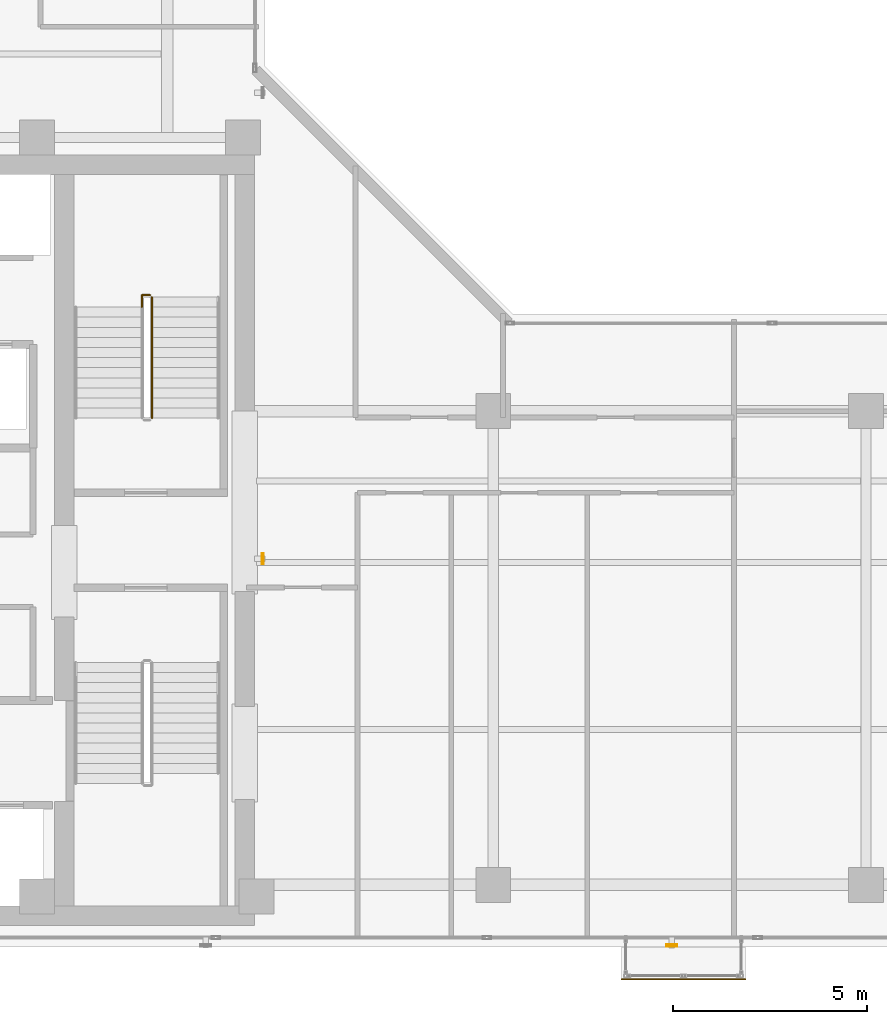
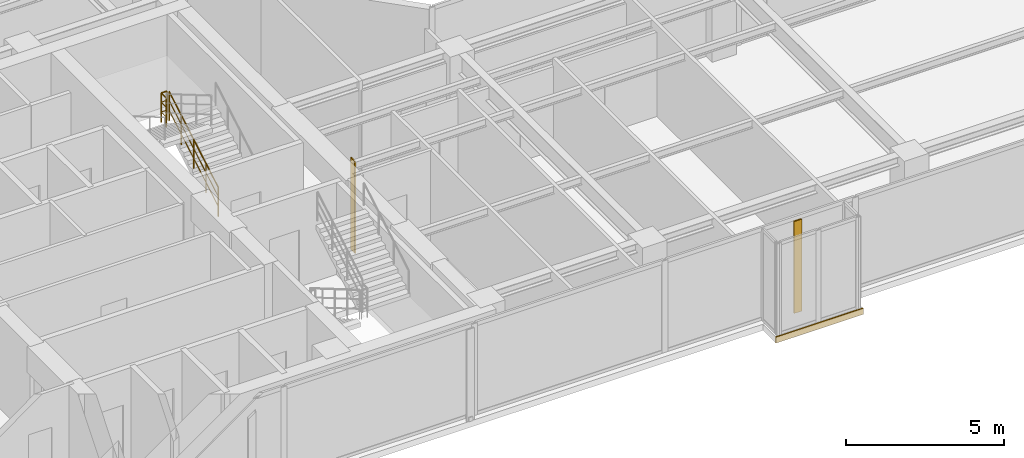
# One storey, part 21 of 23: 2 railings, 2 shading devices, 1 covering.
"""IFC4 building model written with IfcOpenShell, lengths in metres."""

from ifc_helpers import new_model, si_unit, direction, frame, origin, origin_2d, place, context, subcontext, project, spatial, rectangle, hollow_rectangle, circle, extrude, material, layer, layer_set, material_profile, profile_set, type_object, element, save


model = new_model("IFC4")

# Units and contexts
model_context = context("Model", 3, precision=1e-05, world=origin(), true_north=direction((0.0, 1.0)))
body_context = subcontext(model_context, "Body", "Model", "MODEL_VIEW")
ifc_project = project(units=[si_unit("LENGTHUNIT", "METRE"), si_unit("AREAUNIT", "SQUARE_METRE"), si_unit("VOLUMEUNIT", "CUBIC_METRE"), si_unit("PLANEANGLEUNIT", "RADIAN"), si_unit("MASSUNIT", "GRAM", prefix="KILO")], contexts=[model_context])

# Site, building, storey
site_placement = place(None, origin())
site = spatial("IfcSite", under=ifc_project, at=site_placement, CompositionType="ELEMENT")
building_placement = place(site_placement, origin())
building = spatial("IfcBuilding", under=site, at=building_placement, Name="Kolvaren Waterfront Exchange", CompositionType="ELEMENT")
storey_placement = place(building_placement, frame((0.0, 0.0, 297.0)))
storey = spatial("IfcBuildingStorey", under=building, at=storey_placement, Name="L76", CompositionType="ELEMENT", Elevation=297.0)

# Covering
ifc_material_1 = material(Name="Anodised bronze fascia aluminium", Category="aluminium")
ifc_layer = layer(ifc_material_1, 0.034912109375, Name="Anodised bronze fascia aluminium")
ifc_layer_set = layer_set([ifc_layer], Name="Anodised bronze fascia aluminium")
covering_type = type_object("IfcCoveringType", Name="ARC-CLAD-BRONZE-35", PredefinedType="CLADDING", material=ifc_layer_set)
covering_placement = place(storey_placement, frame((32.10009765625, 2.77001953125, -0.22021484375), z_axis=(0.0, 0.0, 1.0), x_axis=(1.0, 0.0, 0.0)))
element("IfcCovering", 1, at=covering_placement, inside=storey, type_object=covering_type, Name="L76 ribbed anodised bronze bay-box fascia", PredefinedType="CLADDING", context=body_context, shape_type="SweptSolid", body=[
    extrude(rectangle(XDim=3.199951171875, YDim=0.034912109375, at=origin_2d()), origin(), (0.0, 0.0, 1.0), 0.239990234375),
])

# Shading devices
ifc_material_2 = material(Name="Anodised bronze aluminium 6063-T6", Category="aluminium")
ifc_material_profile = material_profile(ifc_material_2, hollow_rectangle(XDim=0.054931640625, YDim=0.280029296875, WallThickness=0.00439453125, at=origin_2d()), Name="BRZ-FIN-280x55x4.5")
ifc_profile_set = profile_set([ifc_material_profile], Name="Anodised bronze aluminium 6063-T6")
shading_device_type = type_object("IfcShadingDeviceType", Name="ARC-FIN-280", PredefinedType="USERDEFINED", material=ifc_profile_set)
for number, where, z_axis, x_axis, name in (
    (2, (31.800048828125, 3.639892578125, 0.0), (0.0, 0.0, 1.0), (0.0, -1.0, 0.0), "L76 anodised bronze solar shading fin FIN-L76-S3"),
    (3, (21.265380859375, 13.60009765625, 0.0), (0.0, 0.0, 1.0), (1.0, 0.0, 0.0), "L76 anodised bronze solar shading fin FIN-L76-E1"),
):
    element("IfcShadingDevice", number, at=place(storey_placement, frame(where, z_axis=z_axis, x_axis=x_axis)), inside=storey, type_object=shading_device_type, Name=name, ObjectType="SOLAR FIN", PredefinedType="USERDEFINED", context=body_context, shape_type="SweptSolid", body=[
        extrude(hollow_rectangle(XDim=0.054931640625, YDim=0.280029296875, WallThickness=0.00439453125, at=origin_2d()), origin(), (0.0, 0.0, 1.0), 3.56005859375),
    ])

# Railings
ifc_material_3 = material(Name="Stainless steel 316", Category="steel")
railing_type = type_object("IfcRailingType", Name="ARC-GUARD-STAIR", PredefinedType="GUARDRAIL", material=ifc_material_3)
railing_1_placement = place(storey_placement, frame((18.409912109375, 17.219970703125, 0.152099609375)))
element("IfcRailing", 4, at=railing_1_placement, inside=storey, type_object=railing_type, Name="L76 ST2 stair guard 1", PredefinedType="GUARDRAIL", context=body_context, shape_type="SweptSolid", body=[
    extrude(circle(Radius=0.02392578125, at=origin_2d()), frame((0.0, 0.0, 1.1259765625), z_axis=(0.0, 0.86330811405, 0.504677223793), x_axis=(-1.0, 0.0, 0.0)), (0.0, 0.0, 1.0), 3.6142578125),
    extrude(circle(Radius=0.01611328125, at=origin_2d()), frame((0.0, 0.0, 0.390869140625), z_axis=(0.0, 0.86330811405, 0.504677223793), x_axis=(-1.0, 0.0, 0.0)), (0.0, 0.0, 1.0), 3.6142578125),
    extrude(circle(Radius=0.01611328125, at=origin_2d()), frame((0.0, 0.0, 0.7705078125), z_axis=(0.0, 0.86330811405, 0.504677223793), x_axis=(-1.0, 0.0, 0.0)), (0.0, 0.0, 1.0), 3.6142578125),
    extrude(circle(Radius=0.02099609375, at=origin_2d()), origin(), (0.0, 0.0, 1.0), 1.101806640625),
    extrude(circle(Radius=0.02099609375, at=origin_2d()), frame((0.0, 0.780029296875, 0.4560546875)), (0.0, 0.0, 1.0), 1.101806640625),
    extrude(circle(Radius=0.02099609375, at=origin_2d()), frame((0.0, 1.56005859375, 0.912109375)), (0.0, 0.0, 1.0), 1.101806640625),
    extrude(circle(Radius=0.02099609375, at=origin_2d()), frame((0.0, 2.340087890625, 1.367919921875)), (0.0, 0.0, 1.0), 1.101806640625),
    extrude(circle(Radius=0.02099609375, at=origin_2d()), frame((0.0, 3.1201171875, 1.823974609375)), (0.0, 0.0, 1.0), 1.101806640625),
])
railing_2_placement = place(storey_placement, frame((18.360107421875, 20.389892578125, 1.97607421875)))
element("IfcRailing", 5, at=railing_2_placement, inside=storey, type_object=railing_type, Name="L76 ST2 stair guard 2", PredefinedType="GUARDRAIL", context=body_context, shape_type="SweptSolid", body=[
    extrude(circle(Radius=0.02392578125, at=origin_2d()), frame((0.0, 0.0, 1.1259765625), z_axis=(-1.0, 0.0, 0.0), x_axis=(0.0, -1.0, 0.0)), (0.0, 0.0, 1.0), 0.210205078125),
    extrude(circle(Radius=0.01611328125, at=origin_2d()), frame((0.0, 0.0, 0.390869140625), z_axis=(-1.0, 0.0, 0.0), x_axis=(0.0, -1.0, 0.0)), (0.0, 0.0, 1.0), 0.210205078125),
    extrude(circle(Radius=0.01611328125, at=origin_2d()), frame((0.0, 0.0, 0.7705078125), z_axis=(-1.0, 0.0, 0.0), x_axis=(0.0, -1.0, 0.0)), (0.0, 0.0, 1.0), 0.210205078125),
    extrude(circle(Radius=0.02392578125, at=origin_2d()), frame((-0.210205078125, 0.0, 1.1259765625), z_axis=(0.0, -1.0, 0.0), x_axis=(1.0, 0.0, 0.0)), (0.0, 0.0, 1.0), 0.309814453125),
    extrude(circle(Radius=0.01611328125, at=origin_2d()), frame((-0.210205078125, 0.0, 0.390869140625), z_axis=(0.0, -1.0, 0.0), x_axis=(1.0, 0.0, 0.0)), (0.0, 0.0, 1.0), 0.309814453125),
    extrude(circle(Radius=0.01611328125, at=origin_2d()), frame((-0.210205078125, 0.0, 0.7705078125), z_axis=(0.0, -1.0, 0.0), x_axis=(1.0, 0.0, 0.0)), (0.0, 0.0, 1.0), 0.309814453125),
    extrude(circle(Radius=0.02099609375, at=origin_2d()), origin(), (0.0, 0.0, 1.0), 1.101806640625),
    extrude(circle(Radius=0.02099609375, at=origin_2d()), frame((-0.210205078125, 0.0, 0.0)), (0.0, 0.0, 1.0), 1.101806640625),
    extrude(circle(Radius=0.02099609375, at=origin_2d()), frame((-0.210205078125, -0.309814453125, 0.0)), (0.0, 0.0, 1.0), 1.101806640625),
])

save(model, "model.ifc")
